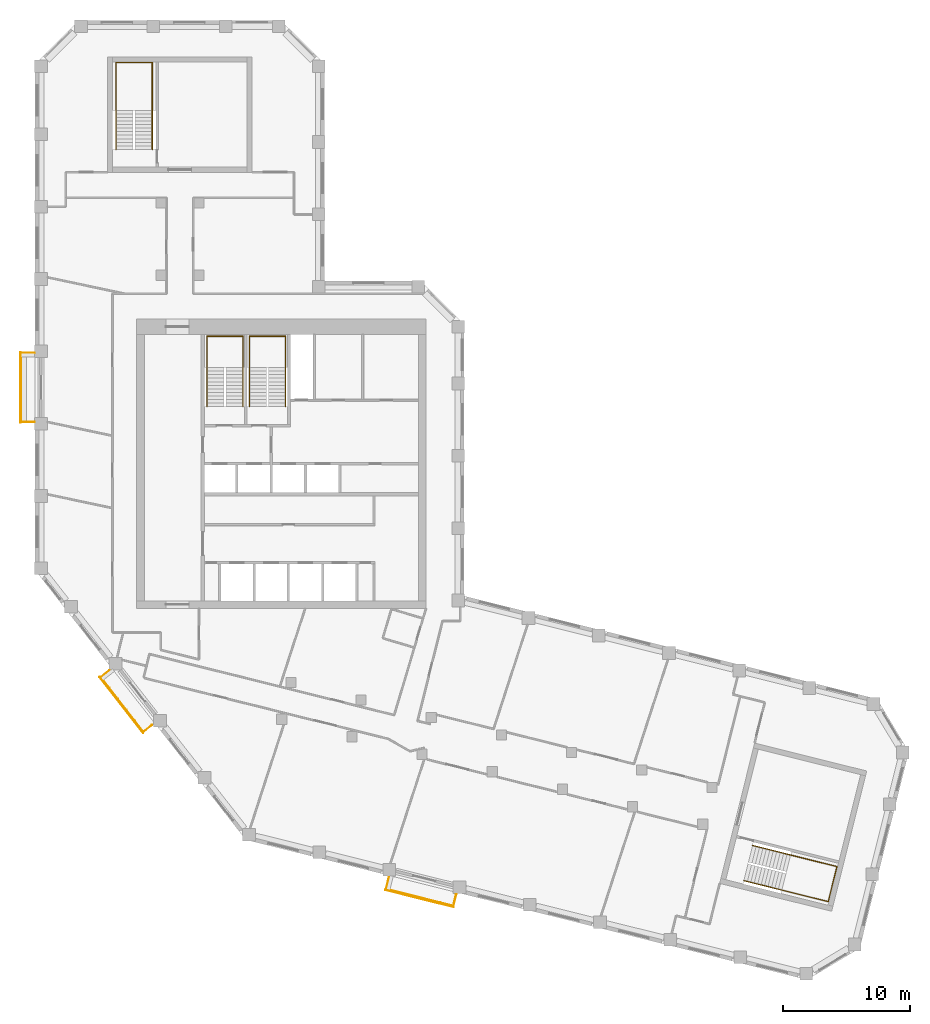
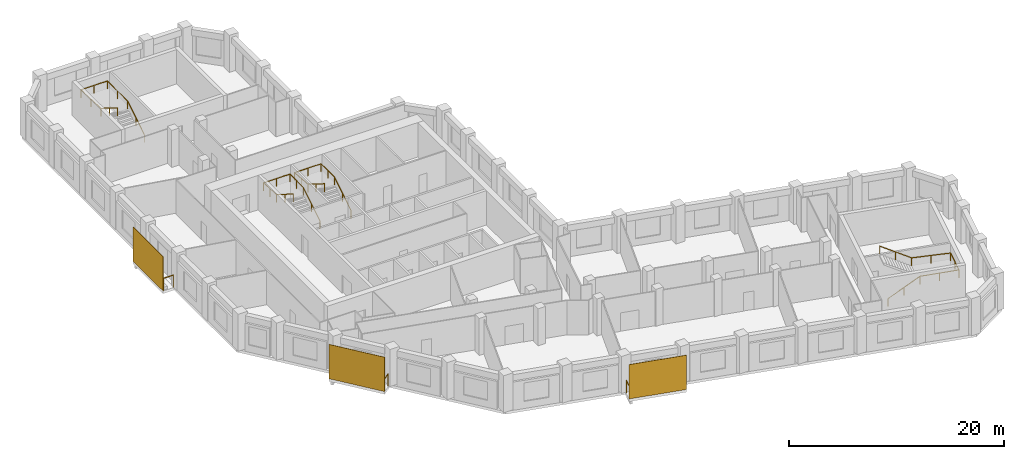
# One storey, part 9 of 9: 7 railings, 3 shading devices.
"""IFC4 building model written with IfcOpenShell, lengths in metres."""

from ifc_helpers import new_model, si_unit, direction, frame, origin, origin_2d, place, context, subcontext, project, spatial, rectangle, circle, extrude, material, layer, layer_set, type_object, element, save


model = new_model("IFC4")

# Units and contexts
model_context = context("Model", 3, precision=1e-05, world=origin(), true_north=direction((0.0, 1.0)))
body_context = subcontext(model_context, "Body", "Model", "MODEL_VIEW")
ifc_project = project(units=[si_unit("LENGTHUNIT", "METRE"), si_unit("AREAUNIT", "SQUARE_METRE"), si_unit("VOLUMEUNIT", "CUBIC_METRE"), si_unit("PLANEANGLEUNIT", "RADIAN"), si_unit("MASSUNIT", "GRAM", prefix="KILO")], contexts=[model_context])

# Site, building, storey
site_placement = place(None, origin())
site = spatial("IfcSite", under=ifc_project, at=site_placement, CompositionType="ELEMENT")
building_placement = place(site_placement, origin())
building = spatial("IfcBuilding", under=site, at=building_placement, Name="Meshkara Civic Tower", CompositionType="ELEMENT")
storey_placement = place(building_placement, frame((0.0, 0.0, 331.800048828125)))
storey = spatial("IfcBuildingStorey", under=building, at=storey_placement, Name="L76", CompositionType="ELEMENT", Elevation=331.800048828125)

# Railings
ifc_material_1 = material(Name="Steel S355", Category="steel")
railing_type_1 = type_object("IfcRailingType", Name="BALUSTRADE GUARD 1400", PredefinedType="BALUSTRADE", material=ifc_material_1)
railing_1_placement = place(storey_placement, frame((-0.050048828125, 34.235107421875, 0.0)))
element("IfcRailing", 1, at=railing_1_placement, inside=storey, type_object=railing_type_1, Name="Balcony guard", PredefinedType="BALUSTRADE", context=body_context, shape_type="SweptSolid", body=[
    extrude(circle(Radius=0.02392578125, at=origin_2d()), frame((0.0, 0.0, 1.3759765625), z_axis=(-1.0, 0.0, 0.0), x_axis=(0.0, -1.0, 0.0)), (0.0, 0.0, 1.0), 1.06005859375),
    extrude(circle(Radius=0.02392578125, at=origin_2d()), frame((-1.06005859375, 0.0, 1.3759765625), z_axis=(0.0, -1.0, 0.0), x_axis=(1.0, 0.0, 0.0)), (0.0, 0.0, 1.0), 5.460205078125),
    extrude(circle(Radius=0.02392578125, at=origin_2d()), frame((-1.06005859375, -5.460205078125, 1.3759765625), z_axis=(1.0, 0.0, 0.0), x_axis=(0.0, 1.0, 0.0)), (0.0, 0.0, 1.0), 1.06005859375),
    extrude(circle(Radius=0.02099609375, at=origin_2d()), origin(), (0.0, 0.0, 1.0), 1.351806640625),
    extrude(circle(Radius=0.02099609375, at=origin_2d()), frame((-1.06005859375, 0.0, 0.0)), (0.0, 0.0, 1.0), 1.351806640625),
    extrude(circle(Radius=0.02099609375, at=origin_2d()), frame((-1.06005859375, -1.092041015625, 0.0)), (0.0, 0.0, 1.0), 1.351806640625),
    extrude(circle(Radius=0.02099609375, at=origin_2d()), frame((-1.06005859375, -2.18408203125, 0.0)), (0.0, 0.0, 1.0), 1.351806640625),
    extrude(circle(Radius=0.02099609375, at=origin_2d()), frame((-1.06005859375, -3.276123046875, 0.0)), (0.0, 0.0, 1.0), 1.351806640625),
    extrude(circle(Radius=0.02099609375, at=origin_2d()), frame((-1.06005859375, -4.3681640625, 0.0)), (0.0, 0.0, 1.0), 1.351806640625),
    extrude(circle(Radius=0.02099609375, at=origin_2d()), frame((-1.06005859375, -5.460205078125, 0.0)), (0.0, 0.0, 1.0), 1.351806640625),
    extrude(circle(Radius=0.02099609375, at=origin_2d()), frame((0.0, -5.460205078125, 0.0)), (0.0, 0.0, 1.0), 1.351806640625),
])
railing_2_placement = place(storey_placement, frame((5.843994140625, 9.2109375, 0.0)))
element("IfcRailing", 2, at=railing_2_placement, inside=storey, type_object=railing_type_1, Name="Balcony guard", PredefinedType="BALUSTRADE", context=body_context, shape_type="SweptSolid", body=[
    extrude(circle(Radius=0.02392578125, at=origin_2d()), frame((0.0, 0.0, 1.3759765625), z_axis=(-0.787511002433, -0.616300593093, 0.0), x_axis=(0.616300593093, -0.787511002433, 0.0)), (0.0, 0.0, 1.0), 0.8583984375),
    extrude(circle(Radius=0.02392578125, at=origin_2d()), frame((-0.676025390625, -0.529052734375, 1.3759765625), z_axis=(0.615684818606, -0.787992515281, 0.0), x_axis=(0.787992515281, 0.615684818606, 0.0)), (0.0, 0.0, 1.0), 5.460693359375),
    extrude(circle(Radius=0.02392578125, at=origin_2d()), frame((2.68603515625, -4.83203125, 1.3759765625), z_axis=(0.787511002433, 0.616300593093, 0.0), x_axis=(-0.616300593093, 0.787511002433, 0.0)), (0.0, 0.0, 1.0), 0.8583984375),
    extrude(circle(Radius=0.02099609375, at=origin_2d()), origin(), (0.0, 0.0, 1.0), 1.351806640625),
    extrude(circle(Radius=0.02099609375, at=origin_2d()), frame((-0.676025390625, -0.529052734375, 0.0)), (0.0, 0.0, 1.0), 1.351806640625),
    extrude(circle(Radius=0.02099609375, at=origin_2d()), frame((-0.003662109375, -1.3896484375, 0.0)), (0.0, 0.0, 1.0), 1.351806640625),
    extrude(circle(Radius=0.02099609375, at=origin_2d()), frame((0.668701171875, -2.250244140625, 0.0)), (0.0, 0.0, 1.0), 1.351806640625),
    extrude(circle(Radius=0.02099609375, at=origin_2d()), frame((1.34130859375, -3.11083984375, 0.0)), (0.0, 0.0, 1.0), 1.351806640625),
    extrude(circle(Radius=0.02099609375, at=origin_2d()), frame((2.013671875, -3.971435546875, 0.0)), (0.0, 0.0, 1.0), 1.351806640625),
    extrude(circle(Radius=0.02099609375, at=origin_2d()), frame((2.68603515625, -4.83203125, 0.0)), (0.0, 0.0, 1.0), 1.351806640625),
    extrude(circle(Radius=0.02099609375, at=origin_2d()), frame((3.362060546875, -4.302978515625, 0.0)), (0.0, 0.0, 1.0), 1.351806640625),
])
railing_3_placement = place(storey_placement, frame((27.882080078125, -7.113037109375, 0.0)))
element("IfcRailing", 3, at=railing_3_placement, inside=storey, type_object=railing_type_1, Name="Balcony guard", PredefinedType="BALUSTRADE", context=body_context, shape_type="SweptSolid", body=[
    extrude(circle(Radius=0.02392578125, at=origin_2d()), frame((0.0, 0.0, 1.3759765625), z_axis=(-0.242475378497, -0.970157559793, 0.0), x_axis=(0.970157559793, -0.242475378497, 0.0)), (0.0, 0.0, 1.0), 0.95361328125),
    extrude(circle(Radius=0.02392578125, at=origin_2d()), frame((-0.231201171875, -0.925048828125, 1.3759765625), z_axis=(0.970302726319, -0.241893818229, 0.0), x_axis=(0.241893818229, 0.970302726319, 0.0)), (0.0, 0.0, 1.0), 5.460205078125),
    extrude(circle(Radius=0.02392578125, at=origin_2d()), frame((5.06689453125, -2.245849609375, 1.3759765625), z_axis=(0.242294558419, 0.970202734979, 0.0), x_axis=(-0.970202734979, 0.242294558419, 0.0)), (0.0, 0.0, 1.0), 0.953125),
    extrude(circle(Radius=0.02099609375, at=origin_2d()), origin(), (0.0, 0.0, 1.0), 1.351806640625),
    extrude(circle(Radius=0.02099609375, at=origin_2d()), frame((-0.231201171875, -0.925048828125, 0.0)), (0.0, 0.0, 1.0), 1.351806640625),
    extrude(circle(Radius=0.02099609375, at=origin_2d()), frame((0.828369140625, -1.189208984375, 0.0)), (0.0, 0.0, 1.0), 1.351806640625),
    extrude(circle(Radius=0.02099609375, at=origin_2d()), frame((1.887939453125, -1.453369140625, 0.0)), (0.0, 0.0, 1.0), 1.351806640625),
    extrude(circle(Radius=0.02099609375, at=origin_2d()), frame((2.94775390625, -1.717529296875, 0.0)), (0.0, 0.0, 1.0), 1.351806640625),
    extrude(circle(Radius=0.02099609375, at=origin_2d()), frame((4.00732421875, -1.981689453125, 0.0)), (0.0, 0.0, 1.0), 1.351806640625),
    extrude(circle(Radius=0.02099609375, at=origin_2d()), frame((5.06689453125, -2.245849609375, 0.0)), (0.0, 0.0, 1.0), 1.351806640625),
    extrude(circle(Radius=0.02099609375, at=origin_2d()), frame((5.2978515625, -1.321044921875, 0.0)), (0.0, 0.0, 1.0), 1.351806640625),
])

# Shading devices
ifc_material_2 = material(Name="Perforated bronze anodised aluminium sheet", Category="aluminium")
ifc_layer = layer(ifc_material_2, 0.0400390625)
ifc_layer_set = layer_set([ifc_layer], Name="PERFORATED BRONZE SCREEN")
shading_device_type = type_object("IfcShadingDeviceType", Name="PERFORATED BRONZE SCREEN", PredefinedType="USERDEFINED", material=ifc_layer_set)
shading_device_1_placement = place(storey_placement, frame((-1.179931640625, 31.5048828125, 0.0), z_axis=(0.0, 0.0, 1.0), x_axis=(0.0, -1.0, 0.0)))
element("IfcShadingDevice", 4, at=shading_device_1_placement, inside=storey, type_object=shading_device_type, Name="Balcony screen", ObjectType="SCREEN", PredefinedType="USERDEFINED", context=body_context, shape_type="SweptSolid", body=[
    extrude(rectangle(XDim=5.580078125, YDim=0.0400390625, at=origin_2d()), origin(), (0.0, 0.0, 1.0), 3.89990234375),
])
shading_device_2_placement = place(storey_placement, frame((6.7939453125, 6.488037109375, 0.0), z_axis=(0.0, 0.0, 1.0), x_axis=(0.615661475326, -0.788010753607, 0.0)))
element("IfcShadingDevice", 5, at=shading_device_2_placement, inside=storey, type_object=shading_device_type, Name="Balcony screen", ObjectType="SCREEN", PredefinedType="USERDEFINED", context=body_context, shape_type="SweptSolid", body=[
    extrude(rectangle(XDim=5.5810546875, YDim=0.0400390625, at=origin_2d()), origin(), (0.0, 0.0, 1.0), 3.89990234375),
])
shading_device_3_placement = place(storey_placement, frame((30.282958984375, -8.76708984375, 0.0), z_axis=(0.0, 0.0, 1.0), x_axis=(0.970295726276, -0.2419218956, 0.0)))
element("IfcShadingDevice", 6, at=shading_device_3_placement, inside=storey, type_object=shading_device_type, Name="Balcony screen", ObjectType="SCREEN", PredefinedType="USERDEFINED", context=body_context, shape_type="SweptSolid", body=[
    extrude(rectangle(XDim=5.580078125, YDim=0.0400390625, at=origin_2d()), origin(), (0.0, 0.0, 1.0), 3.89990234375),
])

# Railings
ifc_material_3 = material(Name="Steel handrail", Category="steel")
railing_type_2 = type_object("IfcRailingType", Name="Stair handrail 900", PredefinedType="HANDRAIL", material=ifc_material_3)
railing_4_placement = place(storey_placement, frame((16.375, 30.0, 0.175048828125)))
element("IfcRailing", 7, at=railing_4_placement, inside=storey, type_object=railing_type_2, Name="L76 ST1 stair handrail 1", PredefinedType="HANDRAIL", context=body_context, shape_type="SweptSolid", body=[
    extrude(circle(Radius=0.02392578125, at=origin_2d()), frame((0.0, 0.0, 0.8759765625), z_axis=(0.0, 0.848028513186, 0.529950602248), x_axis=(-1.0, 0.0, 0.0)), (0.0, 0.0, 1.0), 3.632080078125),
    extrude(circle(Radius=0.02392578125, at=origin_2d()), frame((0.0, 3.080078125, 2.80078125), z_axis=(0.0, 1.0, 0.0), x_axis=(-1.0, 0.0, 0.0)), (0.0, 0.0, 1.0), 2.469970703125),
    extrude(circle(Radius=0.02392578125, at=origin_2d()), frame((0.0, 5.550048828125, 2.80078125), z_axis=(-1.0, 0.0, 0.0), x_axis=(0.0, -1.0, 0.0)), (0.0, 0.0, 1.0), 2.85009765625),
    extrude(circle(Radius=0.02392578125, at=origin_2d()), frame((-2.85009765625, 5.550048828125, 2.80078125), z_axis=(0.0, -0.997498084828, 0.070693498747), x_axis=(1.0, 0.0, 0.0)), (0.0, 0.0, 1.0), 2.47607421875),
    extrude(circle(Radius=0.02392578125, at=origin_2d()), frame((-2.85009765625, 3.080078125, 2.9755859375), z_axis=(0.0, -0.847998304005, 0.529998940003), x_axis=(1.0, 0.0, 0.0)), (0.0, 0.0, 1.0), 3.632080078125),
    extrude(circle(Radius=0.02099609375, at=origin_2d()), origin(), (0.0, 0.0, 1.0), 0.851806640625),
    extrude(circle(Radius=0.02099609375, at=origin_2d()), frame((0.0, 1.5400390625, 0.96240234375)), (0.0, 0.0, 1.0), 0.851806640625),
    extrude(circle(Radius=0.02099609375, at=origin_2d()), frame((0.0, 3.080078125, 1.9248046875)), (0.0, 0.0, 1.0), 0.851806640625),
    extrude(circle(Radius=0.02099609375, at=origin_2d()), frame((0.0, 4.31494140625, 1.9248046875)), (0.0, 0.0, 1.0), 0.851806640625),
    extrude(circle(Radius=0.02099609375, at=origin_2d()), frame((0.0, 5.550048828125, 1.9248046875)), (0.0, 0.0, 1.0), 0.851806640625),
    extrude(circle(Radius=0.02099609375, at=origin_2d()), frame((-1.425048828125, 5.550048828125, 1.9248046875)), (0.0, 0.0, 1.0), 0.851806640625),
    extrude(circle(Radius=0.02099609375, at=origin_2d()), frame((-2.85009765625, 5.550048828125, 1.9248046875)), (0.0, 0.0, 1.0), 0.851806640625),
    extrude(circle(Radius=0.02099609375, at=origin_2d()), frame((-2.85009765625, 4.31494140625, 2.01220703125)), (0.0, 0.0, 1.0), 0.851806640625),
    extrude(circle(Radius=0.02099609375, at=origin_2d()), frame((-2.85009765625, 3.080078125, 2.099853515625)), (0.0, 0.0, 1.0), 0.851806640625),
    extrude(circle(Radius=0.02099609375, at=origin_2d()), frame((-2.85009765625, 1.5400390625, 3.0625)), (0.0, 0.0, 1.0), 0.851806640625),
    extrude(circle(Radius=0.02099609375, at=origin_2d()), frame((-2.85009765625, 0.0, 4.02490234375)), (0.0, 0.0, 1.0), 0.851806640625),
])
railing_5_placement = place(storey_placement, frame((19.72509765625, 30.0, 0.175048828125)))
element("IfcRailing", 8, at=railing_5_placement, inside=storey, type_object=railing_type_2, Name="L76 ST2 stair handrail 1", PredefinedType="HANDRAIL", context=body_context, shape_type="SweptSolid", body=[
    extrude(circle(Radius=0.02392578125, at=origin_2d()), frame((0.0, 0.0, 0.8759765625), z_axis=(0.0, 0.848028513186, 0.529950602248), x_axis=(-1.0, 0.0, 0.0)), (0.0, 0.0, 1.0), 3.632080078125),
    extrude(circle(Radius=0.02392578125, at=origin_2d()), frame((0.0, 3.080078125, 2.80078125), z_axis=(0.0, 1.0, 0.0), x_axis=(-1.0, 0.0, 0.0)), (0.0, 0.0, 1.0), 2.469970703125),
    extrude(circle(Radius=0.02392578125, at=origin_2d()), frame((0.0, 5.550048828125, 2.80078125), z_axis=(-1.0, 0.0, 0.0), x_axis=(0.0, -1.0, 0.0)), (0.0, 0.0, 1.0), 2.85009765625),
    extrude(circle(Radius=0.02392578125, at=origin_2d()), frame((-2.85009765625, 5.550048828125, 2.80078125), z_axis=(0.0, -0.997498084828, 0.070693498747), x_axis=(1.0, 0.0, 0.0)), (0.0, 0.0, 1.0), 2.47607421875),
    extrude(circle(Radius=0.02392578125, at=origin_2d()), frame((-2.85009765625, 3.080078125, 2.9755859375), z_axis=(0.0, -0.847998304005, 0.529998940003), x_axis=(1.0, 0.0, 0.0)), (0.0, 0.0, 1.0), 3.632080078125),
    extrude(circle(Radius=0.02099609375, at=origin_2d()), origin(), (0.0, 0.0, 1.0), 0.851806640625),
    extrude(circle(Radius=0.02099609375, at=origin_2d()), frame((0.0, 1.5400390625, 0.96240234375)), (0.0, 0.0, 1.0), 0.851806640625),
    extrude(circle(Radius=0.02099609375, at=origin_2d()), frame((0.0, 3.080078125, 1.9248046875)), (0.0, 0.0, 1.0), 0.851806640625),
    extrude(circle(Radius=0.02099609375, at=origin_2d()), frame((0.0, 4.31494140625, 1.9248046875)), (0.0, 0.0, 1.0), 0.851806640625),
    extrude(circle(Radius=0.02099609375, at=origin_2d()), frame((0.0, 5.550048828125, 1.9248046875)), (0.0, 0.0, 1.0), 0.851806640625),
    extrude(circle(Radius=0.02099609375, at=origin_2d()), frame((-1.425048828125, 5.550048828125, 1.9248046875)), (0.0, 0.0, 1.0), 0.851806640625),
    extrude(circle(Radius=0.02099609375, at=origin_2d()), frame((-2.85009765625, 5.550048828125, 1.9248046875)), (0.0, 0.0, 1.0), 0.851806640625),
    extrude(circle(Radius=0.02099609375, at=origin_2d()), frame((-2.85009765625, 4.31494140625, 2.01220703125)), (0.0, 0.0, 1.0), 0.851806640625),
    extrude(circle(Radius=0.02099609375, at=origin_2d()), frame((-2.85009765625, 3.080078125, 2.099853515625)), (0.0, 0.0, 1.0), 0.851806640625),
    extrude(circle(Radius=0.02099609375, at=origin_2d()), frame((-2.85009765625, 1.5400390625, 3.0625)), (0.0, 0.0, 1.0), 0.851806640625),
    extrude(circle(Radius=0.02099609375, at=origin_2d()), frame((-2.85009765625, 0.0, 4.02490234375)), (0.0, 0.0, 1.0), 0.851806640625),
])
railing_6_placement = place(storey_placement, frame((9.22509765625, 50.27001953125, 0.175048828125)))
element("IfcRailing", 9, at=railing_6_placement, inside=storey, type_object=railing_type_2, Name="L76 ESA5 stair handrail 1", PredefinedType="HANDRAIL", context=body_context, shape_type="SweptSolid", body=[
    extrude(circle(Radius=0.02392578125, at=origin_2d()), frame((0.0, 0.0, 0.8759765625), z_axis=(0.0, 0.848028513186, 0.529950602248), x_axis=(-1.0, 0.0, 0.0)), (0.0, 0.0, 1.0), 3.632080078125),
    extrude(circle(Radius=0.02392578125, at=origin_2d()), frame((0.0, 3.080078125, 2.80078125), z_axis=(0.0, 1.0, 0.0), x_axis=(-1.0, 0.0, 0.0)), (0.0, 0.0, 1.0), 3.77001953125),
    extrude(circle(Radius=0.02392578125, at=origin_2d()), frame((0.0, 6.85009765625, 2.80078125), z_axis=(-1.0, 0.0, 0.0), x_axis=(0.0, -1.0, 0.0)), (0.0, 0.0, 1.0), 2.85009765625),
    extrude(circle(Radius=0.02392578125, at=origin_2d()), frame((-2.85009765625, 6.85009765625, 2.80078125), z_axis=(0.0, -0.9989237834, 0.046381838667), x_axis=(1.0, 0.0, 0.0)), (0.0, 0.0, 1.0), 3.774169921875),
    extrude(circle(Radius=0.02392578125, at=origin_2d()), frame((-2.85009765625, 3.080078125, 2.9755859375), z_axis=(0.0, -0.847998304005, 0.529998940003), x_axis=(1.0, 0.0, 0.0)), (0.0, 0.0, 1.0), 3.632080078125),
    extrude(circle(Radius=0.02099609375, at=origin_2d()), origin(), (0.0, 0.0, 1.0), 0.851806640625),
    extrude(circle(Radius=0.02099609375, at=origin_2d()), frame((0.0, 1.5400390625, 0.96240234375)), (0.0, 0.0, 1.0), 0.851806640625),
    extrude(circle(Radius=0.02099609375, at=origin_2d()), frame((0.0, 3.080078125, 1.9248046875)), (0.0, 0.0, 1.0), 0.851806640625),
    extrude(circle(Radius=0.02099609375, at=origin_2d()), frame((0.0, 4.965087890625, 1.9248046875)), (0.0, 0.0, 1.0), 0.851806640625),
    extrude(circle(Radius=0.02099609375, at=origin_2d()), frame((0.0, 6.85009765625, 1.9248046875)), (0.0, 0.0, 1.0), 0.851806640625),
    extrude(circle(Radius=0.02099609375, at=origin_2d()), frame((-1.425048828125, 6.85009765625, 1.9248046875)), (0.0, 0.0, 1.0), 0.851806640625),
    extrude(circle(Radius=0.02099609375, at=origin_2d()), frame((-2.85009765625, 6.85009765625, 1.9248046875)), (0.0, 0.0, 1.0), 0.851806640625),
    extrude(circle(Radius=0.02099609375, at=origin_2d()), frame((-2.85009765625, 4.965087890625, 2.01220703125)), (0.0, 0.0, 1.0), 0.851806640625),
    extrude(circle(Radius=0.02099609375, at=origin_2d()), frame((-2.85009765625, 3.080078125, 2.099853515625)), (0.0, 0.0, 1.0), 0.851806640625),
    extrude(circle(Radius=0.02099609375, at=origin_2d()), frame((-2.85009765625, 1.5400390625, 3.0625)), (0.0, 0.0, 1.0), 0.851806640625),
    extrude(circle(Radius=0.02099609375, at=origin_2d()), frame((-2.85009765625, 0.0, 4.02490234375)), (0.0, 0.0, 1.0), 0.851806640625),
])
railing_7_placement = place(storey_placement, frame((55.849365234375, -7.3544921875, 0.175048828125)))
element("IfcRailing", 10, at=railing_7_placement, inside=storey, type_object=railing_type_2, Name="L76 ESB5 stair handrail 1", PredefinedType="HANDRAIL", context=body_context, shape_type="SweptSolid", body=[
    extrude(circle(Radius=0.02392578125, at=origin_2d()), frame((0.0, 0.0, 0.8759765625), z_axis=(0.822811278243, -0.205282709236, 0.529943968439), x_axis=(0.242069343812, 0.970258951408, 0.0)), (0.0, 0.0, 1.0), 3.632080078125),
    extrude(circle(Radius=0.02392578125, at=origin_2d()), frame((2.988525390625, -0.74560546875, 2.80078125), z_axis=(0.970256677427, -0.242078458165, 0.0), x_axis=(0.242078458165, 0.970256677427, 0.0)), (0.0, 0.0, 1.0), 3.769775390625),
    extrude(circle(Radius=0.02392578125, at=origin_2d()), frame((6.646240234375, -1.658203125, 2.80078125), z_axis=(0.242072031574, 0.970258280835, 0.0), x_axis=(-0.970258280835, 0.242072031574, 0.0)), (0.0, 0.0, 1.0), 2.85009765625),
    extrude(circle(Radius=0.02392578125, at=origin_2d()), frame((7.336181640625, 1.107177734375, 2.80078125), z_axis=(-0.969216294885, 0.241802743795, 0.046381104147), x_axis=(-0.242063248025, -0.970260472221, 0.0)), (0.0, 0.0, 1.0), 3.774169921875),
    extrude(circle(Radius=0.02392578125, at=origin_2d()), frame((3.67822265625, 2.019775390625, 2.9755859375), z_axis=(-0.822771605551, 0.205222362071, 0.530028930537), x_axis=(-0.242013336109, -0.97027292302, 0.0)), (0.0, 0.0, 1.0), 3.632080078125),
    extrude(circle(Radius=0.02099609375, at=origin_2d()), origin(), (0.0, 0.0, 1.0), 0.851806640625),
    extrude(circle(Radius=0.02099609375, at=origin_2d()), frame((1.494140625, -0.372802734375, 0.96240234375)), (0.0, 0.0, 1.0), 0.851806640625),
    extrude(circle(Radius=0.02099609375, at=origin_2d()), frame((2.988525390625, -0.74560546875, 1.9248046875)), (0.0, 0.0, 1.0), 0.851806640625),
    extrude(circle(Radius=0.02099609375, at=origin_2d()), frame((4.8173828125, -1.201904296875, 1.9248046875)), (0.0, 0.0, 1.0), 0.851806640625),
    extrude(circle(Radius=0.02099609375, at=origin_2d()), frame((6.646240234375, -1.658203125, 1.9248046875)), (0.0, 0.0, 1.0), 0.851806640625),
    extrude(circle(Radius=0.02099609375, at=origin_2d()), frame((6.9912109375, -0.275390625, 1.9248046875)), (0.0, 0.0, 1.0), 0.851806640625),
    extrude(circle(Radius=0.02099609375, at=origin_2d()), frame((7.336181640625, 1.107177734375, 1.9248046875)), (0.0, 0.0, 1.0), 0.851806640625),
    extrude(circle(Radius=0.02099609375, at=origin_2d()), frame((5.50732421875, 1.5634765625, 2.01220703125)), (0.0, 0.0, 1.0), 0.851806640625),
    extrude(circle(Radius=0.02099609375, at=origin_2d()), frame((3.67822265625, 2.019775390625, 2.099853515625)), (0.0, 0.0, 1.0), 0.851806640625),
    extrude(circle(Radius=0.02099609375, at=origin_2d()), frame((2.18408203125, 2.392578125, 3.0625)), (0.0, 0.0, 1.0), 0.851806640625),
    extrude(circle(Radius=0.02099609375, at=origin_2d()), frame((0.68994140625, 2.76513671875, 4.02490234375)), (0.0, 0.0, 1.0), 0.851806640625),
])

save(model, "model.ifc")
